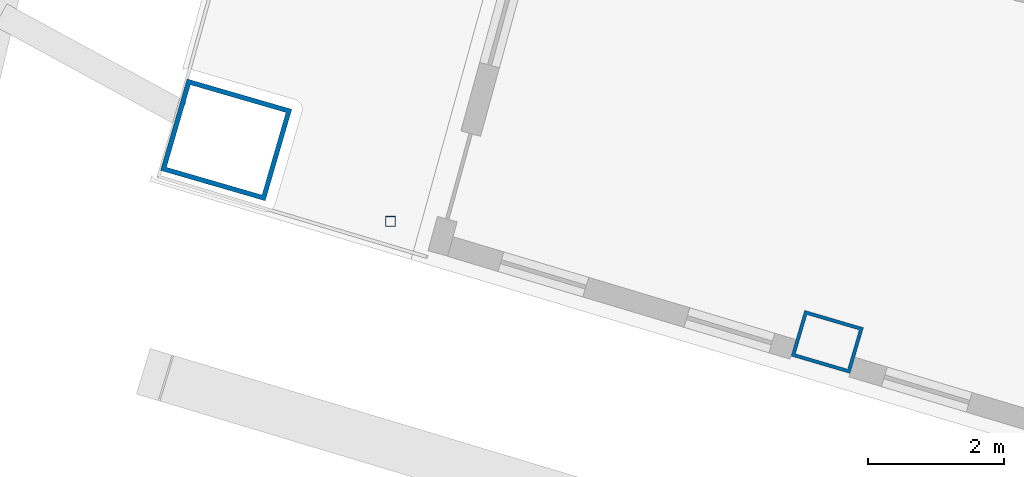
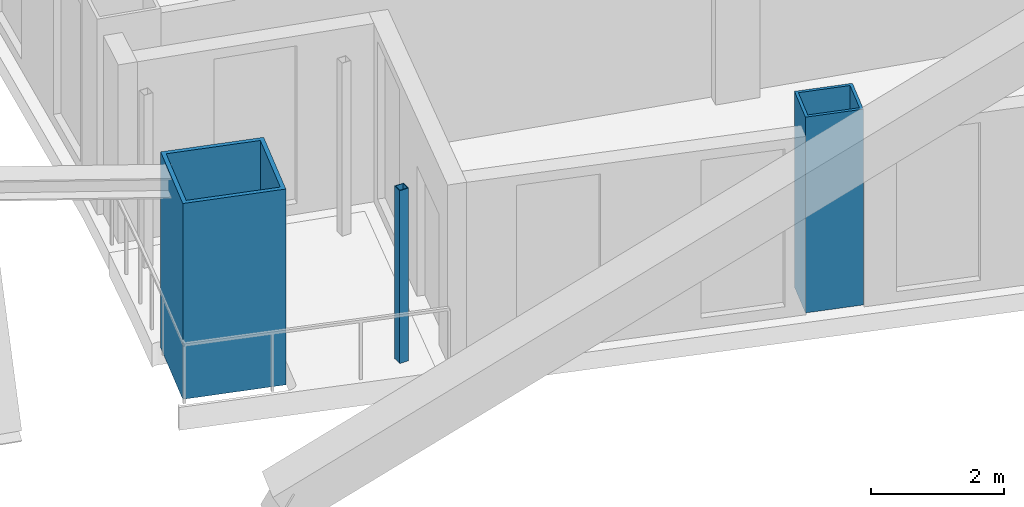
# One storey, part 1 of 21: 3 columns.
"""IFC4 building model written with IfcOpenShell, lengths in metres."""

import ifcopenshell
import ifcopenshell.guid

model = None  # the IFC model being written
_history = None  # IfcOwnerHistory: only IFC2X3 demands one
_inside = {}  # id of a spatial element -> (the spatial element, [elements in it])
_under = {}  # id of a project, library or spatial element -> (it, [spatial elements below it])
_declared = {}  # id of a project -> (the project, [libraries it declares])
_typed = {}  # id of a type object -> (the type object, [elements of that type])
_made_of = {}  # id of a material, layer set ... -> (it, [elements and type objects made of it])


def new_model(schema):
    """Start an empty IFC model of exactly this schema.

    Asked for "IFC4X3", IfcOpenShell would pick the latest addendum, in which some entities
    have other attributes; the version numbers below select the first issue.
    IFC2X3 requires an IfcOwnerHistory on every rooted entity: one is made here for all.
    """
    global model, _history
    if schema == "IFC4X3":
        model = ifcopenshell.file(schema_version=(4, 3, 0, 0))
    else:
        model = ifcopenshell.file(schema=schema)
    _inside.clear()
    _under.clear()
    _declared.clear()
    _typed.clear()
    _made_of.clear()
    _history = None
    if model.schema == "IFC2X3":
        org = make("IfcOrganization", Name="unknown")
        user = make(
            "IfcPersonAndOrganization",
            ThePerson=make("IfcPerson", FamilyName="unknown"),
            TheOrganization=org,
        )
        app = make(
            "IfcApplication",
            ApplicationDeveloper=org,
            Version="unknown",
            ApplicationFullName="unknown",
            ApplicationIdentifier="unknown",
        )
        _history = make(
            "IfcOwnerHistory",
            OwningUser=user,
            OwningApplication=app,
            ChangeAction="ADDED",
            CreationDate=0,
        )
    return model


def make(cls, **values):
    """One entity of the class cls with the attributes given. An attribute that is None is left unset."""
    return model.create_entity(
        cls, **{name: value for name, value in values.items() if value is not None}
    )


def rooted(cls, **values):
    """An entity with a GlobalId (a new one), such as an element, a storey or a relation."""
    return make(cls, GlobalId=ifcopenshell.guid.new(), OwnerHistory=_history, **values)


def si_unit(unit_type, name, prefix=None):
    """IfcSIUnit, for example si_unit("LENGTHUNIT", "METRE", prefix="MILLI")."""
    return make("IfcSIUnit", UnitType=unit_type, Prefix=prefix, Name=name)


def assignment(units):
    """IfcUnitAssignment: the units of a project."""
    return None if units is None else make("IfcUnitAssignment", Units=units)


def point(xyz):
    """IfcCartesianPoint."""
    return None if xyz is None else make("IfcCartesianPoint", Coordinates=xyz)


def direction(xyz):
    """IfcDirection."""
    return None if xyz is None else make("IfcDirection", DirectionRatios=xyz)


def frame(location, z_axis=None, x_axis=None):
    """IfcAxis2Placement3D, a coordinate frame: its origin and axes. An axis left out is left unset."""
    return make(
        "IfcAxis2Placement3D",
        Location=point(location),
        Axis=direction(z_axis),
        RefDirection=direction(x_axis),
    )


def frame_2d(location, x_axis=None):
    """IfcAxis2Placement2D, a coordinate frame in the plane: its origin and x axis."""
    return make(
        "IfcAxis2Placement2D", Location=point(location), RefDirection=direction(x_axis)
    )


def origin():
    """The frame at (0, 0, 0) with its axes left unset."""
    return frame((0.0, 0.0, 0.0))


def origin_2d():
    """The frame at (0, 0) in the plane with its x axis left unset."""
    return frame_2d((0.0, 0.0))


def place(relative_to, where):
    """IfcLocalPlacement: puts the frame where relative to a parent placement (None: the world)."""
    return make(
        "IfcLocalPlacement", PlacementRelTo=relative_to, RelativePlacement=where
    )


def context(
    kind, dimensions, precision=None, world=None, true_north=None, identifier=None
):
    """IfcGeometricRepresentationContext, for example the 3D "Model" context."""
    return make(
        "IfcGeometricRepresentationContext",
        ContextIdentifier=identifier,
        ContextType=kind,
        CoordinateSpaceDimension=dimensions,
        Precision=precision,
        WorldCoordinateSystem=world,
        TrueNorth=true_north,
    )


def subcontext(parent, identifier, kind, view, scale=None):
    """IfcGeometricRepresentationSubContext, for example "Body" below "Model"."""
    return make(
        "IfcGeometricRepresentationSubContext",
        ContextIdentifier=identifier,
        ContextType=kind,
        ParentContext=parent,
        TargetScale=scale,
        TargetView=view,
    )


def project(units=None, contexts=None):
    """IfcProject with its units and contexts."""
    return rooted(
        "IfcProject",
        Name="project",
        RepresentationContexts=contexts,
        UnitsInContext=assignment(units),
    )


def spatial(cls, under=None, at=None, **own):
    """A site, building, storey or space (cls), placed at a placement, below another one or the project."""
    s = rooted(cls, ObjectPlacement=at, **own)
    if under is not None:
        _under.setdefault(under.id(), (under, []))[1].append(s)
    return s


def profile(cls, at=None, kind="AREA", **sizes):
    """A parametric profile (cls). Its sizes go by their IFC names, for example OverallWidth=200.0."""
    return make(cls, ProfileType=kind, Position=at, **sizes)


def hollow_rectangle(**sizes):
    """IfcRectangleHollowProfileDef."""
    return profile("IfcRectangleHollowProfileDef", **sizes)


def extrude(swept, where, along, depth):
    """IfcExtrudedAreaSolid: the profile swept, set in the frame where, extruded along a direction by depth."""
    return make(
        "IfcExtrudedAreaSolid",
        SweptArea=swept,
        Position=where,
        ExtrudedDirection=direction(along),
        Depth=depth,
    )


def shape(context_of_items, identifier, shape_type, items):
    """IfcShapeRepresentation: the items that make up one representation, for example the "Body"."""
    return make(
        "IfcShapeRepresentation",
        ContextOfItems=context_of_items,
        RepresentationIdentifier=identifier,
        RepresentationType=shape_type,
        Items=items,
    )


def material(Name=None, Category=None):
    """IfcMaterial."""
    return make("IfcMaterial", Name=Name, Category=Category)


def material_profile(
    of_material, cross_section, Name=None, Category=None, Priority=None
):
    """IfcMaterialProfile: a cross section and its material."""
    return make(
        "IfcMaterialProfile",
        Name=Name,
        Material=of_material,
        Profile=cross_section,
        Priority=Priority,
        Category=Category,
    )


def profile_set(profiles, Name=None, composite=None):
    """IfcMaterialProfileSet."""
    return make(
        "IfcMaterialProfileSet",
        Name=Name,
        MaterialProfiles=profiles,
        CompositeProfile=composite,
    )


def made_of(thing, what):
    """Note that an element or type object is made of a material, layer set ...; save() writes the relation."""
    if what is not None:
        _made_of.setdefault(what.id(), (what, []))[1].append(thing)
    return thing


def type_object(cls, material=None, **own):
    """A type object (cls), such as IfcWallType, which elements share."""
    return made_of(rooted(cls, **own), material)


def element(
    cls,
    number,
    at=None,
    inside=None,
    cuts=None,
    type_object=None,
    material=None,
    context=None,
    identifier="Body",
    shape_type=None,
    held_by="IfcProductDefinitionShape",
    body=None,
    shapes=None,
    **own,
):
    """One element of the class cls, such as IfcWall. Its Tag is "e" and its number.

    at: its placement. inside: the storey or other place that contains it. cuts: it is an
    opening in that element (IfcRelVoidsElement). A single representation is given by context,
    identifier, shape_type and body (its items); several are given by shapes. held_by: the class
    of the entity that holds the representations. save() writes the other relations.
    """
    e = rooted(cls, Tag="e%d" % number, ObjectPlacement=at, **own)
    if body is not None:
        shapes = [shape(context, identifier, shape_type, body)]
    if shapes is not None:
        e.Representation = make(held_by, Representations=shapes)
    if inside is not None:
        _inside.setdefault(inside.id(), (inside, []))[1].append(e)
    if cuts is not None:
        rooted(
            "IfcRelVoidsElement", RelatingBuildingElement=cuts, RelatedOpeningElement=e
        )
    if type_object is not None:
        _typed.setdefault(type_object.id(), (type_object, []))[1].append(e)
    return made_of(e, material)


def aggregate(whole, parts):
    """IfcRelAggregates: a whole, such as a stair, and the parts it consists of."""
    return rooted("IfcRelAggregates", RelatingObject=whole, RelatedObjects=parts)


def save(model, path):
    """Write the relations noted so far, then the file.

    IfcRelAggregates (storeys below a building ...), IfcRelContainedInSpatialStructure (elements
    in a storey), IfcRelDefinesByType, IfcRelAssociatesMaterial and IfcRelDeclares: one each for
    every whole, place, type object, material and project.
    """
    for whole, parts in _under.values():
        aggregate(whole, parts)
    for where, things in _inside.values():
        rooted(
            "IfcRelContainedInSpatialStructure",
            RelatedElements=things,
            RelatingStructure=where,
        )
    for kind, things in _typed.values():
        rooted("IfcRelDefinesByType", RelatedObjects=things, RelatingType=kind)
    for what, things in _made_of.values():
        rooted("IfcRelAssociatesMaterial", RelatedObjects=things, RelatingMaterial=what)
    for by, libraries in _declared.values():
        rooted("IfcRelDeclares", RelatingContext=by, RelatedDefinitions=libraries)
    model.write(path)


model = new_model("IFC4")

# Units and contexts
model_context = context("Model", 3, precision=1e-05, world=origin(), true_north=direction((0.0, 1.0)))
body_context = subcontext(model_context, "Body", "Model", "MODEL_VIEW")
ifc_project = project(units=[si_unit("LENGTHUNIT", "METRE"), si_unit("AREAUNIT", "SQUARE_METRE"), si_unit("VOLUMEUNIT", "CUBIC_METRE"), si_unit("PLANEANGLEUNIT", "RADIAN"), si_unit("MASSUNIT", "GRAM", prefix="KILO")], contexts=[model_context])

# Site, building, storey
site_placement = place(None, origin())
site = spatial("IfcSite", under=ifc_project, at=site_placement, CompositionType="ELEMENT")
building_placement = place(site_placement, origin())
building = spatial("IfcBuilding", under=site, at=building_placement, Name="Alderwake Tower", CompositionType="ELEMENT")
storey_placement = place(building_placement, frame((0.0, 0.0, 267.199951171875)))
storey = spatial("IfcBuildingStorey", under=building, at=storey_placement, Name="L66", CompositionType="ELEMENT", Elevation=267.199951171875)

# Columns
ifc_material_1 = material(Name="Steel ASTM A572 Grade 50 concrete filled C70/85", Category="concrete")
ifc_material_profile_1 = material_profile(ifc_material_1, hollow_rectangle(XDim=0.699951171875, YDim=0.89990234375, WallThickness=0.050048828125, at=origin_2d()), Name="BOX 900X700X50")
ifc_profile_set_1 = profile_set([ifc_material_profile_1], Name="Steel ASTM A572 Grade 50 concrete filled C70/85")
column_type_1 = type_object("IfcColumnType", Name="End column Z5", PredefinedType="COLUMN", material=ifc_profile_set_1)
column_1_placement = place(storey_placement, frame((21.885498046875, 31.03759765625, 0.0), z_axis=(0.0, 0.0, 1.0), x_axis=(0.282132160283, 0.95937554906, 0.0)))
element("IfcColumn", 1, at=column_1_placement, inside=storey, type_object=column_type_1, Name="Column R02-C1", PredefinedType="COLUMN", context=body_context, shape_type="SweptSolid", body=[
    extrude(hollow_rectangle(XDim=0.699951171875, YDim=0.89990234375, WallThickness=0.050048828125, at=origin_2d()), origin(), (0.0, 0.0, 1.0), 3.60009765625),
])
ifc_material_2 = material(Name="Steel ASTM A500 Grade C", Category="steel")
ifc_material_profile_2 = material_profile(ifc_material_2, hollow_rectangle(XDim=0.15234375, YDim=0.15234375, WallThickness=0.0087890625, at=origin_2d()), Name="HSS6X6X3/8")
ifc_profile_set_2 = profile_set([ifc_material_profile_2], Name="Steel ASTM A500 Grade C")
column_type_2 = type_object("IfcColumnType", Name="Light post HSS6X6X3/8", PredefinedType="COLUMN", material=ifc_profile_set_2)
column_2_placement = place(storey_placement, frame((15.47412109375, 32.805908203125, 0.0), z_axis=(0.0, 0.0, 1.0), x_axis=(1.0, 0.0, 0.0)))
element("IfcColumn", 2, at=column_2_placement, inside=storey, type_object=column_type_2, Name="Terrace post RS2", PredefinedType="COLUMN", context=body_context, shape_type="SweptSolid", body=[
    extrude(hollow_rectangle(XDim=0.15234375, YDim=0.15234375, WallThickness=0.0087890625, at=origin_2d()), origin(), (0.0, 0.0, 1.0), 3.179931640625),
])
ifc_material_3 = material(Name="Steel ASTM A572 Grade 50 concrete filled C70/85", Category="concrete")
ifc_material_profile_3 = material_profile(ifc_material_3, hollow_rectangle(XDim=1.39990234375, YDim=1.60009765625, WallThickness=0.070068359375, at=origin_2d()), Name="BOX 1600X1400X70")
ifc_profile_set_3 = profile_set([ifc_material_profile_3], Name="Steel ASTM A572 Grade 50 concrete filled C70/85")
column_type_3 = type_object("IfcColumnType", Name="Mega column Z5", PredefinedType="COLUMN", material=ifc_profile_set_3)
column_3_placement = place(storey_placement, frame((13.06298828125, 34.00244140625, 0.0), z_axis=(0.0, 0.0, 1.0), x_axis=(0.278612301868, 0.960403657452, 0.0)))
element("IfcColumn", 3, at=column_3_placement, inside=storey, type_object=column_type_3, Name="Column R02-C0", PredefinedType="COLUMN", context=body_context, shape_type="SweptSolid", body=[
    extrude(hollow_rectangle(XDim=1.39990234375, YDim=1.60009765625, WallThickness=0.070068359375, at=origin_2d()), origin(), (0.0, 0.0, 1.0), 3.60009765625),
])

save(model, "model.ifc")
